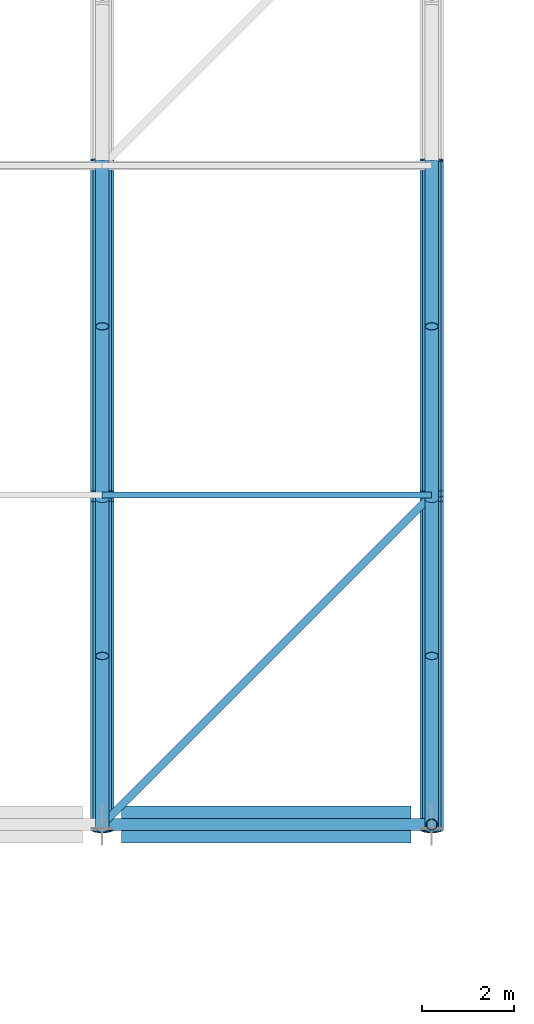
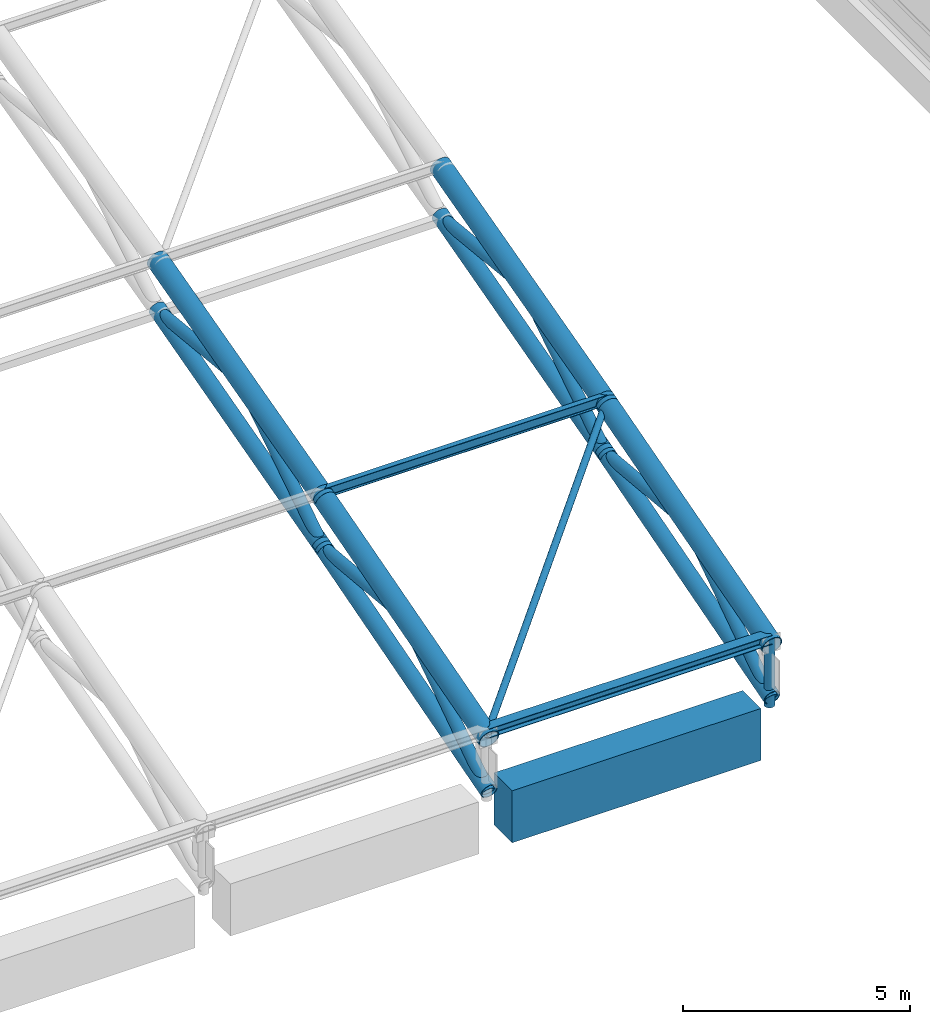
# One storey, part 39 of 193: 20 members, 1 beam.
"""IFC4 building model written with IfcOpenShell, lengths in metres."""

from ifc_helpers import new_model, si_unit, direction, frame, origin, origin_2d, place, context, subcontext, project, spatial, rectangle, hollow_circle, i_section, extrude, material, material_profile, profile_set, type_object, element, save


model = new_model("IFC4")

# Units and contexts
model_context = context("Model", 3, precision=1e-05, world=origin(), true_north=direction((0.0, 1.0)))
body_context = subcontext(model_context, "Body", "Model", "MODEL_VIEW")
ifc_project = project(units=[si_unit("LENGTHUNIT", "METRE"), si_unit("AREAUNIT", "SQUARE_METRE"), si_unit("VOLUMEUNIT", "CUBIC_METRE"), si_unit("PLANEANGLEUNIT", "RADIAN"), si_unit("MASSUNIT", "GRAM", prefix="KILO")], contexts=[model_context])

# Site, building, storey
site_placement = place(None, origin())
site = spatial("IfcSite", under=ifc_project, at=site_placement, CompositionType="ELEMENT")
building_placement = place(site_placement, origin())
building = spatial("IfcBuilding", under=site, at=building_placement, Name="Cendralis Lancet Convention Centre", CompositionType="ELEMENT")
storey_placement = place(building_placement, frame((0.0, 0.0, 10.199951171875)))
storey = spatial("IfcBuildingStorey", under=building, at=storey_placement, Name="L02", CompositionType="ELEMENT", Elevation=10.199951171875)

# Beam
ifc_material_1 = material(Name="Concrete G40 (C40/50)", Category="concrete")
ifc_material_profile_1 = material_profile(ifc_material_1, rectangle(XDim=0.800048828125, YDim=1.39990234375, at=origin_2d()), Name="RCB 800x1400")
ifc_profile_set_1 = profile_set([ifc_material_profile_1], Name="Concrete G40 (C40/50)")
beam_type = type_object("IfcBeamType", Name="STR-BM-BG17", PredefinedType="BEAM", material=ifc_profile_set_1)
beam_placement = place(storey_placement, frame((115.625, 50.39990234375, 1.5), z_axis=(1.0, 0.0, 0.0), x_axis=(0.0, 1.0, 0.0)))
element("IfcBeam", 1, at=beam_placement, inside=storey, type_object=beam_type, Name="L02 Beam BG17 #1322", PredefinedType="BEAM", context=body_context, shape_type="SweptSolid", body=[
    extrude(rectangle(XDim=0.800048828125, YDim=1.39990234375, at=origin_2d()), origin(), (0.0, 0.0, 1.0), 6.324951171875),
])

# Members
ifc_material_2 = material(Name="Steel S355", Category="steel")
ifc_material_profile_2 = material_profile(ifc_material_2, hollow_circle(Radius=0.084228515625, WallThickness=0.008056640625, at=origin_2d()), Name="CHS 168.3x8.0")
ifc_profile_set_2 = profile_set([ifc_material_profile_2], Name="Steel S355")
member_type_1 = type_object("IfcMemberType", Name="STR-BR-RB01", PredefinedType="BRACE", material=ifc_profile_set_2)
member_1_placement = place(storey_placement, frame((115.199951171875, 50.39990234375, 3.60009765625), z_axis=(0.69309844049, 0.693121942522, 0.197981121789), x_axis=(-0.7071187694, 0.70709479277, 0.0)))
element("IfcMember", 2, at=member_1_placement, inside=storey, type_object=member_type_1, Name="Roof Diaphragm Brace RB01 V1-13-00A", PredefinedType="BRACE", context=body_context, shape_type="SweptSolid", body=[
    extrude(hollow_circle(Radius=0.084228515625, WallThickness=0.008056640625, at=origin_2d()), origin(), (0.0, 0.0, 1.0), 10.38818359375),
])
ifc_material_profile_3 = material_profile(ifc_material_2, i_section(OverallWidth=0.135009765625, OverallDepth=0.27001953125, WebThickness=0.006591796875, FlangeThickness=0.01025390625, FilletRadius=0.014892578125, at=origin_2d()), Name="IPE 270")
ifc_profile_set_3 = profile_set([ifc_material_profile_3], Name="Steel S355")
member_type_2 = type_object("IfcMemberType", Name="STR-PR-PR01", PredefinedType="PURLIN", material=ifc_profile_set_3)
member_2_placement = place(storey_placement, frame((115.199951171875, 57.60009765625, 5.771728515625), z_axis=(1.0, 0.0, 0.0), x_axis=(0.0, 1.0, 0.0)))
element("IfcMember", 3, at=member_2_placement, inside=storey, type_object=member_type_2, Name="Vault Roof Purlin PR01 V1-13-01", PredefinedType="PURLIN", context=body_context, shape_type="SweptSolid", body=[
    extrude(i_section(OverallWidth=0.135009765625, OverallDepth=0.27001953125, WebThickness=0.006591796875, FlangeThickness=0.01025390625, FilletRadius=0.014892578125, at=origin_2d()), origin(), (0.0, 0.0, 1.0), 7.199951171875),
])
ifc_material_profile_4 = material_profile(ifc_material_2, i_section(OverallWidth=0.260009765625, OverallDepth=0.25, WebThickness=0.007568359375, FlangeThickness=0.012451171875, FilletRadius=0.02392578125, at=origin_2d()), Name="HEA 260")
ifc_profile_set_4 = profile_set([ifc_material_profile_4], Name="Steel S355")
member_type_3 = type_object("IfcMemberType", Name="STR-PR-PR07", PredefinedType="PURLIN", material=ifc_profile_set_4)
member_3_placement = place(storey_placement, frame((115.199951171875, 50.39990234375, 3.72509765625), z_axis=(1.0, 0.0, 0.0), x_axis=(0.0, 1.0, 0.0)))
element("IfcMember", 4, at=member_3_placement, inside=storey, type_object=member_type_3, Name="Vault Roof Purlin PR07 V1-13-00", PredefinedType="PURLIN", context=body_context, shape_type="SweptSolid", body=[
    extrude(i_section(OverallWidth=0.260009765625, OverallDepth=0.25, WebThickness=0.007568359375, FlangeThickness=0.012451171875, FilletRadius=0.02392578125, at=origin_2d()), origin(), (0.0, 0.0, 1.0), 7.199951171875),
])
ifc_material_profile_5 = material_profile(ifc_material_2, hollow_circle(Radius=0.203125, WallThickness=0.01611328125, at=origin_2d()), Name="CHS 406.4x16.0")
ifc_profile_set_5 = profile_set([ifc_material_profile_5], Name="Steel S355")
member_type_4 = type_object("IfcMemberType", Name="STR-TR-BC01", PredefinedType="CHORD", material=ifc_profile_set_5)
member_4_placement = place(storey_placement, frame((122.39990234375, 50.284912109375, 2.16650390625), z_axis=(0.0, 0.960208219649, 0.279285114028), x_axis=(-1.0, 0.0, 0.0)))
element("IfcMember", 5, at=member_4_placement, inside=storey, type_object=member_type_4, Name="ROOF TRUSS AT-V1-15 Bottom Chord 00", PredefinedType="CHORD", context=body_context, shape_type="SweptSolid", body=[
    extrude(hollow_circle(Radius=0.203125, WallThickness=0.01611328125, at=origin_2d()), origin(), (0.0, 0.0, 1.0), 7.738037109375),
])
member_5_placement = place(storey_placement, frame((122.39990234375, 57.484130859375, 4.262451171875), z_axis=(0.0, 0.964987331955, 0.262296490953), x_axis=(-1.0, 0.0, 0.0)))
element("IfcMember", 6, at=member_5_placement, inside=storey, type_object=member_type_4, Name="ROOF TRUSS AT-V1-15 Bottom Chord 01", PredefinedType="CHORD", context=body_context, shape_type="SweptSolid", body=[
    extrude(hollow_circle(Radius=0.203125, WallThickness=0.01611328125, at=origin_2d()), origin(), (0.0, 0.0, 1.0), 7.701171875),
])
ifc_material_profile_6 = material_profile(ifc_material_2, hollow_circle(Radius=0.203125, WallThickness=0.01611328125, at=origin_2d()), Name="CHS 406.4x16.0")
ifc_profile_set_6 = profile_set([ifc_material_profile_6], Name="Steel S355")
member_type_5 = type_object("IfcMemberType", Name="STR-TR-BC01-INT", PredefinedType="CHORD", material=ifc_profile_set_6)
member_6_placement = place(storey_placement, frame((115.199951171875, 50.284912109375, 2.16650390625), z_axis=(0.0, 0.960208219649, 0.279285114028), x_axis=(-1.0, 0.0, 0.0)))
element("IfcMember", 7, at=member_6_placement, inside=storey, type_object=member_type_5, Name="ROOF TRUSS AT-V1-14 Bottom Chord 00", PredefinedType="CHORD", context=body_context, shape_type="SweptSolid", body=[
    extrude(hollow_circle(Radius=0.203125, WallThickness=0.01611328125, at=origin_2d()), origin(), (0.0, 0.0, 1.0), 7.738037109375),
])
member_7_placement = place(storey_placement, frame((115.199951171875, 57.484130859375, 4.262451171875), z_axis=(0.0, 0.964987331955, 0.262296490953), x_axis=(-1.0, 0.0, 0.0)))
element("IfcMember", 8, at=member_7_placement, inside=storey, type_object=member_type_5, Name="ROOF TRUSS AT-V1-14 Bottom Chord 01", PredefinedType="CHORD", context=body_context, shape_type="SweptSolid", body=[
    extrude(hollow_circle(Radius=0.203125, WallThickness=0.01611328125, at=origin_2d()), origin(), (0.0, 0.0, 1.0), 7.701171875),
])
ifc_material_profile_7 = material_profile(ifc_material_2, hollow_circle(Radius=0.25390625, WallThickness=0.02001953125, at=origin_2d()), Name="CHS 508.0x20.0")
ifc_profile_set_7 = profile_set([ifc_material_profile_7], Name="Steel S355")
member_type_6 = type_object("IfcMemberType", Name="STR-TR-TC01", PredefinedType="CHORD", material=ifc_profile_set_7)
member_8_placement = place(storey_placement, frame((122.39990234375, 50.28466796875, 3.567138671875), z_axis=(0.0, 0.961540636093, 0.274662711598), x_axis=(-1.0, 0.0, 0.0)))
element("IfcMember", 9, at=member_8_placement, inside=storey, type_object=member_type_6, Name="ROOF TRUSS AT-V1-15 Top Chord 00", PredefinedType="CHORD", context=body_context, shape_type="SweptSolid", body=[
    extrude(hollow_circle(Radius=0.25390625, WallThickness=0.02001953125, at=origin_2d()), origin(), (0.0, 0.0, 1.0), 7.727783203125),
])
member_9_placement = place(storey_placement, frame((122.39990234375, 57.484130859375, 5.625732421875), z_axis=(0.0, 0.966247582415, 0.257615235337), x_axis=(-1.0, 0.0, 0.0)))
element("IfcMember", 10, at=member_9_placement, inside=storey, type_object=member_type_6, Name="ROOF TRUSS AT-V1-15 Top Chord 01", PredefinedType="CHORD", context=body_context, shape_type="SweptSolid", body=[
    extrude(hollow_circle(Radius=0.25390625, WallThickness=0.02001953125, at=origin_2d()), origin(), (0.0, 0.0, 1.0), 7.69140625),
])
ifc_material_profile_8 = material_profile(ifc_material_2, hollow_circle(Radius=0.25390625, WallThickness=0.02001953125, at=origin_2d()), Name="CHS 508.0x20.0")
ifc_profile_set_8 = profile_set([ifc_material_profile_8], Name="Steel S355")
member_type_7 = type_object("IfcMemberType", Name="STR-TR-TC01-INT", PredefinedType="CHORD", material=ifc_profile_set_8)
member_10_placement = place(storey_placement, frame((115.199951171875, 50.28466796875, 3.567138671875), z_axis=(0.0, 0.961540636093, 0.274662711598), x_axis=(-1.0, 0.0, 0.0)))
element("IfcMember", 11, at=member_10_placement, inside=storey, type_object=member_type_7, Name="ROOF TRUSS AT-V1-14 Top Chord 00", PredefinedType="CHORD", context=body_context, shape_type="SweptSolid", body=[
    extrude(hollow_circle(Radius=0.25390625, WallThickness=0.02001953125, at=origin_2d()), origin(), (0.0, 0.0, 1.0), 7.727783203125),
])
member_11_placement = place(storey_placement, frame((115.199951171875, 57.484130859375, 5.625732421875), z_axis=(0.0, 0.966247582415, 0.257615235337), x_axis=(-1.0, 0.0, 0.0)))
element("IfcMember", 12, at=member_11_placement, inside=storey, type_object=member_type_7, Name="ROOF TRUSS AT-V1-14 Top Chord 01", PredefinedType="CHORD", context=body_context, shape_type="SweptSolid", body=[
    extrude(hollow_circle(Radius=0.25390625, WallThickness=0.02001953125, at=origin_2d()), origin(), (0.0, 0.0, 1.0), 7.69140625),
])
ifc_material_profile_9 = material_profile(ifc_material_2, hollow_circle(Radius=0.149169921875, WallThickness=0.012451171875, at=origin_2d()), Name="CHS 298.5x12.5")
ifc_profile_set_9 = profile_set([ifc_material_profile_9], Name="Steel S355")
member_type_8 = type_object("IfcMemberType", Name="STR-TR-WD01", PredefinedType="BRACE", material=ifc_profile_set_9)
member_12_placement = place(storey_placement, frame((122.39990234375, 50.317138671875, 2.14404296875), z_axis=(0.0, 0.829019978373, 0.559218987032), x_axis=(-1.0, 0.0, 0.0)))
element("IfcMember", 13, at=member_12_placement, inside=storey, type_object=member_type_8, Name="ROOF TRUSS AT-V1-15 Warren Web 00-0", PredefinedType="BRACE", context=body_context, shape_type="SweptSolid", body=[
    extrude(hollow_circle(Radius=0.149169921875, WallThickness=0.012451171875, at=origin_2d()), origin(), (0.0, 0.0, 1.0), 4.54248046875),
])
member_13_placement = place(storey_placement, frame((122.39990234375, 53.900390625, 4.6376953125), z_axis=(0.0, 0.995716709116, -0.092456666539), x_axis=(-1.0, 0.0, 0.0)))
element("IfcMember", 14, at=member_13_placement, inside=storey, type_object=member_type_8, Name="ROOF TRUSS AT-V1-15 Warren Web 00-1", PredefinedType="BRACE", context=body_context, shape_type="SweptSolid", body=[
    extrude(hollow_circle(Radius=0.149169921875, WallThickness=0.012451171875, at=origin_2d()), origin(), (0.0, 0.0, 1.0), 3.815673828125),
])
member_14_placement = place(storey_placement, frame((122.39990234375, 57.51611328125, 4.23974609375), z_axis=(0.0, 0.840291047389, 0.542135551018), x_axis=(-1.0, 0.0, 0.0)))
element("IfcMember", 15, at=member_14_placement, inside=storey, type_object=member_type_8, Name="ROOF TRUSS AT-V1-15 Warren Web 01-0", PredefinedType="BRACE", context=body_context, shape_type="SweptSolid", body=[
    extrude(hollow_circle(Radius=0.149169921875, WallThickness=0.012451171875, at=origin_2d()), origin(), (0.0, 0.0, 1.0), 4.48388671875),
])
member_15_placement = place(storey_placement, frame((122.39990234375, 61.1005859375, 6.626708984375), z_axis=(0.0, 0.99488409704, -0.101022935304), x_axis=(-1.0, 0.0, 0.0)))
element("IfcMember", 16, at=member_15_placement, inside=storey, type_object=member_type_8, Name="ROOF TRUSS AT-V1-15 Warren Web 01-1", PredefinedType="BRACE", context=body_context, shape_type="SweptSolid", body=[
    extrude(hollow_circle(Radius=0.149169921875, WallThickness=0.012451171875, at=origin_2d()), origin(), (0.0, 0.0, 1.0), 3.818359375),
])
ifc_material_profile_10 = material_profile(ifc_material_2, hollow_circle(Radius=0.149169921875, WallThickness=0.012451171875, at=origin_2d()), Name="CHS 298.5x12.5")
ifc_profile_set_10 = profile_set([ifc_material_profile_10], Name="Steel S355")
member_type_9 = type_object("IfcMemberType", Name="STR-TR-WD01-INT", PredefinedType="BRACE", material=ifc_profile_set_10)
member_16_placement = place(storey_placement, frame((115.199951171875, 50.317138671875, 2.14404296875), z_axis=(0.0, 0.829019978373, 0.559218987032), x_axis=(-1.0, 0.0, 0.0)))
element("IfcMember", 17, at=member_16_placement, inside=storey, type_object=member_type_9, Name="ROOF TRUSS AT-V1-14 Warren Web 00-0", PredefinedType="BRACE", context=body_context, shape_type="SweptSolid", body=[
    extrude(hollow_circle(Radius=0.149169921875, WallThickness=0.012451171875, at=origin_2d()), origin(), (0.0, 0.0, 1.0), 4.54248046875),
])
member_17_placement = place(storey_placement, frame((115.199951171875, 53.900390625, 4.6376953125), z_axis=(0.0, 0.995716709116, -0.092456666539), x_axis=(-1.0, 0.0, 0.0)))
element("IfcMember", 18, at=member_17_placement, inside=storey, type_object=member_type_9, Name="ROOF TRUSS AT-V1-14 Warren Web 00-1", PredefinedType="BRACE", context=body_context, shape_type="SweptSolid", body=[
    extrude(hollow_circle(Radius=0.149169921875, WallThickness=0.012451171875, at=origin_2d()), origin(), (0.0, 0.0, 1.0), 3.815673828125),
])
member_18_placement = place(storey_placement, frame((115.199951171875, 57.51611328125, 4.23974609375), z_axis=(0.0, 0.840291047389, 0.542135551018), x_axis=(-1.0, 0.0, 0.0)))
element("IfcMember", 19, at=member_18_placement, inside=storey, type_object=member_type_9, Name="ROOF TRUSS AT-V1-14 Warren Web 01-0", PredefinedType="BRACE", context=body_context, shape_type="SweptSolid", body=[
    extrude(hollow_circle(Radius=0.149169921875, WallThickness=0.012451171875, at=origin_2d()), origin(), (0.0, 0.0, 1.0), 4.48388671875),
])
member_19_placement = place(storey_placement, frame((115.199951171875, 61.1005859375, 6.626708984375), z_axis=(0.0, 0.99488409704, -0.101022935304), x_axis=(-1.0, 0.0, 0.0)))
element("IfcMember", 20, at=member_19_placement, inside=storey, type_object=member_type_9, Name="ROOF TRUSS AT-V1-14 Warren Web 01-1", PredefinedType="BRACE", context=body_context, shape_type="SweptSolid", body=[
    extrude(hollow_circle(Radius=0.149169921875, WallThickness=0.012451171875, at=origin_2d()), origin(), (0.0, 0.0, 1.0), 3.818359375),
])
ifc_material_profile_11 = material_profile(ifc_material_2, hollow_circle(Radius=0.122314453125, WallThickness=0.010009765625, at=origin_2d()), Name="CHS 244.5x10.0")
ifc_profile_set_11 = profile_set([ifc_material_profile_11], Name="Steel S355")
member_type_10 = type_object("IfcMemberType", Name="STR-TR-WV01", PredefinedType="POST", material=ifc_profile_set_11)
member_20_placement = place(storey_placement, frame((122.39990234375, 50.39990234375, 1.900146484375), z_axis=(0.0, 0.0, 1.0), x_axis=(1.0, 0.0, 0.0)))
element("IfcMember", 21, at=member_20_placement, inside=storey, type_object=member_type_10, Name="ROOF TRUSS AT-V1-15 Springing Post N00", PredefinedType="POST", context=body_context, shape_type="SweptSolid", body=[
    extrude(hollow_circle(Radius=0.122314453125, WallThickness=0.010009765625, at=origin_2d()), origin(), (0.0, 0.0, 1.0), 1.919921875),
])

save(model, "model.ifc")
